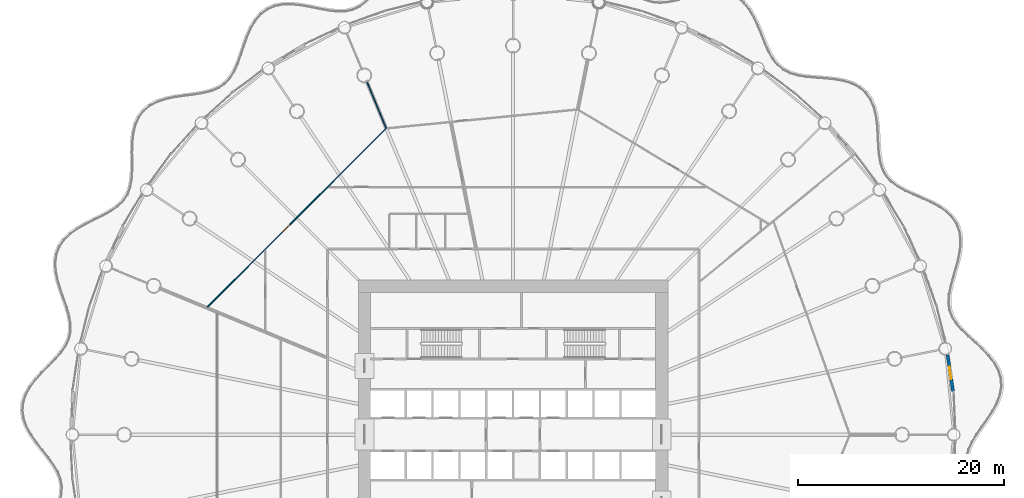
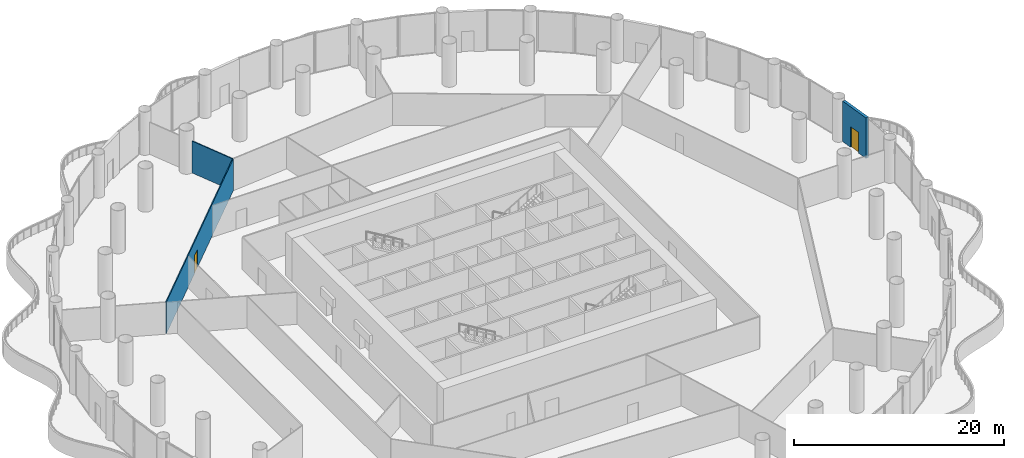
# One storey, part 26 of 35: 3 walls, 2 doors, 2 openings.
"""IFC4 building model written with IfcOpenShell, lengths in metres."""

from ifc_helpers import new_model, si_unit, direction, frame, frame_2d, origin, place, context, subcontext, project, spatial, rectangle, extrude, material, layer, layer_set, type_object, element, fill, save


model = new_model("IFC4")

# Units and contexts
model_context = context("Model", 3, precision=1e-05, world=origin(), true_north=direction((0.0, 1.0)))
body_context = subcontext(model_context, "Body", "Model", "MODEL_VIEW")
ifc_project = project(units=[si_unit("LENGTHUNIT", "METRE"), si_unit("AREAUNIT", "SQUARE_METRE"), si_unit("VOLUMEUNIT", "CUBIC_METRE"), si_unit("PLANEANGLEUNIT", "RADIAN"), si_unit("MASSUNIT", "GRAM", prefix="KILO")], contexts=[model_context])

# Site, building, storey
site_placement = place(None, origin())
site = spatial("IfcSite", under=ifc_project, at=site_placement, CompositionType="ELEMENT")
building_placement = place(site_placement, origin())
building = spatial("IfcBuilding", under=site, at=building_placement, Name="Corvane Civic Tower", CompositionType="ELEMENT")
storey_placement = place(building_placement, frame((0.0, 0.0, 27.0)))
storey = spatial("IfcBuildingStorey", under=building, at=storey_placement, Name="L05", CompositionType="ELEMENT", Elevation=27.0)

# Wall, opening, door
ifc_material_1 = material(Name="Terracotta cladding", Category="masonry")
ifc_layer_1 = layer(ifc_material_1, 0.300048828125)
ifc_layer_set_1 = layer_set([ifc_layer_1], Name="Terracotta cladding")
wall_type_1 = type_object("IfcWallType", Name="PODIUM-W-DRUMDOOR-300", PredefinedType="SOLIDWALL", material=ifc_layer_set_1)
wall_1_placement = place(storey_placement, frame((42.119384765625, 7.73388671875, 0.0), z_axis=(0.0, 0.0, 1.0), x_axis=(0.146700279714, -0.989180988461, 0.0)))
wall_1 = element("IfcWall", 1, at=wall_1_placement, inside=storey, type_object=wall_type_1, Name="L05 drum door bay wall 08", PredefinedType="SOLIDWALL", context=body_context, shape_type="SweptSolid", body=[
    extrude(rectangle(XDim=3.559814453125, YDim=0.300048828125, at=frame_2d((1.77978515625, 0.0))), origin(), (0.0, 0.0, 1.0), 4.699951171875),
])
opening_1_placement = place(wall_1_placement, frame((1.179931640625, 0.0, 0.0)))
opening_1 = element("IfcOpeningElement", 2, at=opening_1_placement, cuts=wall_1, Name="Opening ED-L05-08", PredefinedType="OPENING", context=body_context, shape_type="SweptSolid", body=[
    extrude(rectangle(XDim=1.199951171875, YDim=2.39990234375, at=frame_2d((0.60009765625, 1.199951171875))), frame((0.0, 0.159912109375, 0.0), z_axis=(0.0, -1.0, 0.0), x_axis=(1.0, 0.0, 0.0)), (0.0, 0.0, 1.0), 0.320068359375),
])
ifc_material_2 = material(Name="Anodised aluminium and glass", Category="aluminium")
door_type_1 = type_object("IfcDoorType", Name="PODIUM-D-BALCONY-1200", OperationType="SINGLE_SWING_LEFT", PredefinedType="DOOR", material=ifc_material_2)
door_1_placement = place(opening_1_placement, origin())
door_1 = element("IfcDoor", 3, at=door_1_placement, inside=storey, type_object=door_type_1, Name="L05 balcony door 08", OperationType="SINGLE_SWING_RIGHT", OverallHeight=2.39990234375, OverallWidth=1.199951171875, PredefinedType="DOOR", context=body_context, shape_type="SweptSolid", body=[
    extrude(rectangle(XDim=1.199951171875, YDim=2.39990234375, at=frame_2d((0.60009765625, 1.199951171875))), frame((0.0, 0.02490234375, 0.0), z_axis=(0.0, -1.0, 0.0), x_axis=(1.0, 0.0, 0.0)), (0.0, 0.0, 1.0), 0.050048828125),
])
fill(opening_1, door_1)

ifc_material_3 = material(Name="Plasterboard")
ifc_layer_2 = layer(ifc_material_3, 0.10009765625)
ifc_layer_set_2 = layer_set([ifc_layer_2], Name="Plasterboard")
wall_type_2 = type_object("IfcWallType", Name="Partition 100 plasterboard on studs", PredefinedType="PARTITIONING", material=ifc_layer_set_2)
wall_2_placement = place(storey_placement, frame((-29.637939453125, 12.351318359375, 0.0), z_axis=(0.0, 0.0, 1.0), x_axis=(0.707106781187, 0.707106781187, 0.0)))
wall_2 = element("IfcWall", 4, at=wall_2_placement, inside=storey, type_object=wall_type_2, Name="Partition L05.026", PredefinedType="PARTITIONING", context=body_context, shape_type="SweptSolid", body=[
    extrude(rectangle(XDim=24.488525390625, YDim=0.10009765625, at=frame_2d((12.244140625, 0.0))), origin(), (0.0, 0.0, 1.0), 3.699951171875),
])
opening_2_placement = place(wall_2_placement, frame((10.308837890625, 0.0, 0.0)))
opening_2 = element("IfcOpeningElement", 5, at=opening_2_placement, cuts=wall_2, Name="Opening L05.001", PredefinedType="OPENING", context=body_context, shape_type="SweptSolid", body=[
    extrude(rectangle(XDim=1.0, YDim=2.10009765625, at=frame_2d((0.5, 1.050048828125))), frame((0.0, 0.06005859375, 0.0), z_axis=(0.0, -1.0, 0.0), x_axis=(1.0, 0.0, 0.0)), (0.0, 0.0, 1.0), 0.1201171875),
])
ifc_material_4 = material(Name="Timber", Category="wood")
door_type_2 = type_object("IfcDoorType", Name="Single door 1000", OperationType="NOTDEFINED", PredefinedType="DOOR", material=ifc_material_4)
door_2_placement = place(opening_2_placement, origin())
door_2 = element("IfcDoor", 6, at=door_2_placement, inside=storey, type_object=door_type_2, Name="Door L05.001", OperationType="SINGLE_SWING_LEFT", OverallHeight=2.10009765625, OverallWidth=1.0, PredefinedType="DOOR", context=body_context, shape_type="SweptSolid", body=[
    extrude(rectangle(XDim=1.0, YDim=2.10009765625, at=frame_2d((0.5, 1.050048828125))), frame((0.0, 0.02490234375, 0.0), z_axis=(0.0, -1.0, 0.0), x_axis=(1.0, 0.0, 0.0)), (0.0, 0.0, 1.0), 0.050048828125),
])
fill(opening_2, door_2)

# Wall
wall_3_placement = place(storey_placement, frame((-14.155517578125, 34.17431640625, 0.0), z_axis=(0.0, 0.0, 1.0), x_axis=(0.382699530904, -0.923872864114, 0.0)))
element("IfcWall", 7, at=wall_3_placement, inside=storey, type_object=wall_type_2, Name="Partition L05.040", PredefinedType="PARTITIONING", context=body_context, shape_type="SweptSolid", body=[
    extrude(rectangle(XDim=4.81591796875, YDim=0.10009765625, at=frame_2d((2.407958984375, 0.0))), origin(), (0.0, 0.0, 1.0), 3.699951171875),
])

save(model, "model.ifc")
